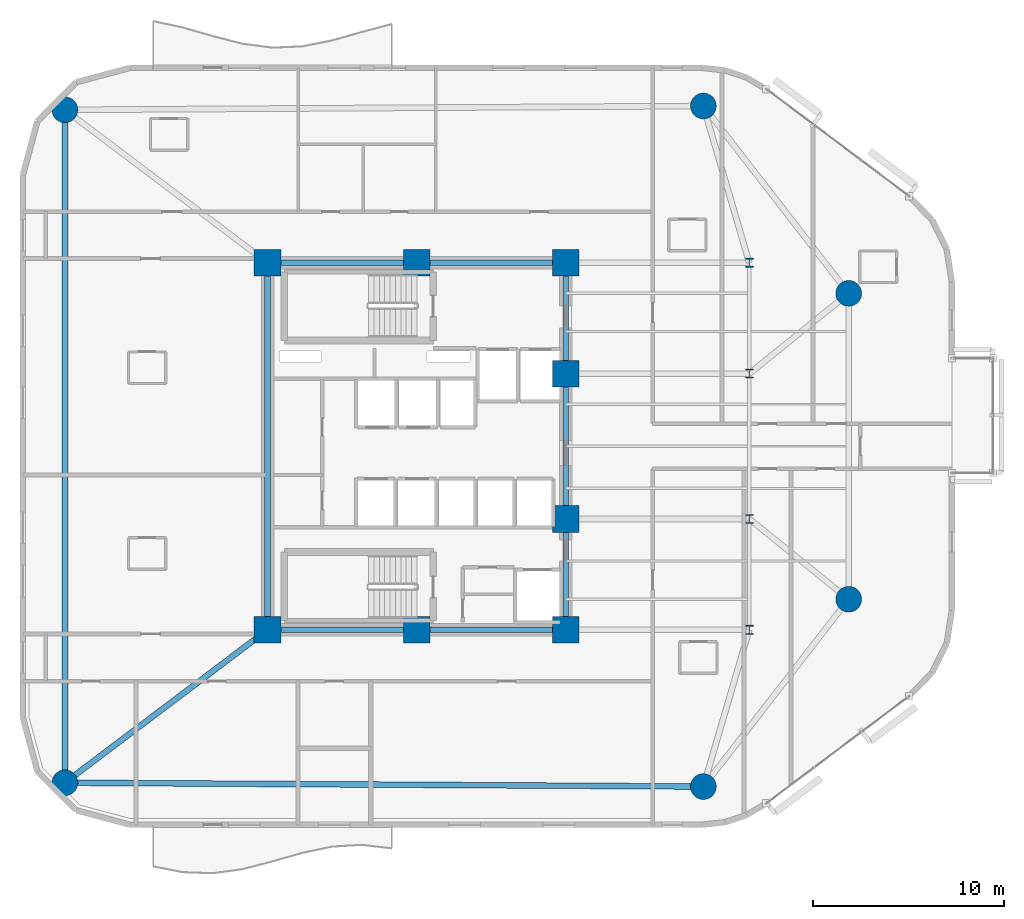
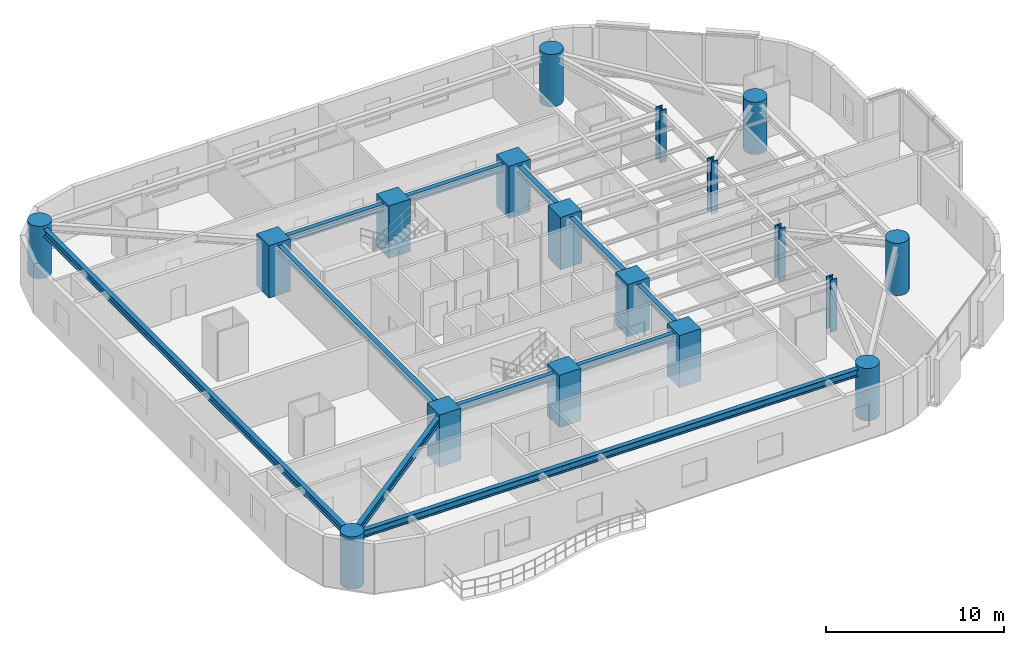
# One storey, part 1 of 14: 18 columns, 9 beams.
"""IFC4 building model written with IfcOpenShell, lengths in metres."""

import ifcopenshell
import ifcopenshell.guid

model = None  # the IFC model being written
_history = None  # IfcOwnerHistory: only IFC2X3 demands one
_inside = {}  # id of a spatial element -> (the spatial element, [elements in it])
_under = {}  # id of a project, library or spatial element -> (it, [spatial elements below it])
_declared = {}  # id of a project -> (the project, [libraries it declares])
_typed = {}  # id of a type object -> (the type object, [elements of that type])
_made_of = {}  # id of a material, layer set ... -> (it, [elements and type objects made of it])


def new_model(schema):
    """Start an empty IFC model of exactly this schema.

    Asked for "IFC4X3", IfcOpenShell would pick the latest addendum, in which some entities
    have other attributes; the version numbers below select the first issue.
    IFC2X3 requires an IfcOwnerHistory on every rooted entity: one is made here for all.
    """
    global model, _history
    if schema == "IFC4X3":
        model = ifcopenshell.file(schema_version=(4, 3, 0, 0))
    else:
        model = ifcopenshell.file(schema=schema)
    _inside.clear()
    _under.clear()
    _declared.clear()
    _typed.clear()
    _made_of.clear()
    _history = None
    if model.schema == "IFC2X3":
        org = make("IfcOrganization", Name="unknown")
        user = make(
            "IfcPersonAndOrganization",
            ThePerson=make("IfcPerson", FamilyName="unknown"),
            TheOrganization=org,
        )
        app = make(
            "IfcApplication",
            ApplicationDeveloper=org,
            Version="unknown",
            ApplicationFullName="unknown",
            ApplicationIdentifier="unknown",
        )
        _history = make(
            "IfcOwnerHistory",
            OwningUser=user,
            OwningApplication=app,
            ChangeAction="ADDED",
            CreationDate=0,
        )
    return model


def make(cls, **values):
    """One entity of the class cls with the attributes given. An attribute that is None is left unset."""
    return model.create_entity(
        cls, **{name: value for name, value in values.items() if value is not None}
    )


def rooted(cls, **values):
    """An entity with a GlobalId (a new one), such as an element, a storey or a relation."""
    return make(cls, GlobalId=ifcopenshell.guid.new(), OwnerHistory=_history, **values)


def si_unit(unit_type, name, prefix=None):
    """IfcSIUnit, for example si_unit("LENGTHUNIT", "METRE", prefix="MILLI")."""
    return make("IfcSIUnit", UnitType=unit_type, Prefix=prefix, Name=name)


def assignment(units):
    """IfcUnitAssignment: the units of a project."""
    return None if units is None else make("IfcUnitAssignment", Units=units)


def point(xyz):
    """IfcCartesianPoint."""
    return None if xyz is None else make("IfcCartesianPoint", Coordinates=xyz)


def direction(xyz):
    """IfcDirection."""
    return None if xyz is None else make("IfcDirection", DirectionRatios=xyz)


def frame(location, z_axis=None, x_axis=None):
    """IfcAxis2Placement3D, a coordinate frame: its origin and axes. An axis left out is left unset."""
    return make(
        "IfcAxis2Placement3D",
        Location=point(location),
        Axis=direction(z_axis),
        RefDirection=direction(x_axis),
    )


def frame_2d(location, x_axis=None):
    """IfcAxis2Placement2D, a coordinate frame in the plane: its origin and x axis."""
    return make(
        "IfcAxis2Placement2D", Location=point(location), RefDirection=direction(x_axis)
    )


def origin():
    """The frame at (0, 0, 0) with its axes left unset."""
    return frame((0.0, 0.0, 0.0))


def origin_2d():
    """The frame at (0, 0) in the plane with its x axis left unset."""
    return frame_2d((0.0, 0.0))


def place(relative_to, where):
    """IfcLocalPlacement: puts the frame where relative to a parent placement (None: the world)."""
    return make(
        "IfcLocalPlacement", PlacementRelTo=relative_to, RelativePlacement=where
    )


def context(
    kind, dimensions, precision=None, world=None, true_north=None, identifier=None
):
    """IfcGeometricRepresentationContext, for example the 3D "Model" context."""
    return make(
        "IfcGeometricRepresentationContext",
        ContextIdentifier=identifier,
        ContextType=kind,
        CoordinateSpaceDimension=dimensions,
        Precision=precision,
        WorldCoordinateSystem=world,
        TrueNorth=true_north,
    )


def subcontext(parent, identifier, kind, view, scale=None):
    """IfcGeometricRepresentationSubContext, for example "Body" below "Model"."""
    return make(
        "IfcGeometricRepresentationSubContext",
        ContextIdentifier=identifier,
        ContextType=kind,
        ParentContext=parent,
        TargetScale=scale,
        TargetView=view,
    )


def project(units=None, contexts=None):
    """IfcProject with its units and contexts."""
    return rooted(
        "IfcProject",
        Name="project",
        RepresentationContexts=contexts,
        UnitsInContext=assignment(units),
    )


def spatial(cls, under=None, at=None, **own):
    """A site, building, storey or space (cls), placed at a placement, below another one or the project."""
    s = rooted(cls, ObjectPlacement=at, **own)
    if under is not None:
        _under.setdefault(under.id(), (under, []))[1].append(s)
    return s


def profile(cls, at=None, kind="AREA", **sizes):
    """A parametric profile (cls). Its sizes go by their IFC names, for example OverallWidth=200.0."""
    return make(cls, ProfileType=kind, Position=at, **sizes)


def rectangle(**sizes):
    """IfcRectangleProfileDef."""
    return profile("IfcRectangleProfileDef", **sizes)


def circle(**sizes):
    """IfcCircleProfileDef."""
    return profile("IfcCircleProfileDef", **sizes)


def i_section(**sizes):
    """IfcIShapeProfileDef."""
    return profile("IfcIShapeProfileDef", **sizes)


def extrude(swept, where, along, depth):
    """IfcExtrudedAreaSolid: the profile swept, set in the frame where, extruded along a direction by depth."""
    return make(
        "IfcExtrudedAreaSolid",
        SweptArea=swept,
        Position=where,
        ExtrudedDirection=direction(along),
        Depth=depth,
    )


def shape(context_of_items, identifier, shape_type, items):
    """IfcShapeRepresentation: the items that make up one representation, for example the "Body"."""
    return make(
        "IfcShapeRepresentation",
        ContextOfItems=context_of_items,
        RepresentationIdentifier=identifier,
        RepresentationType=shape_type,
        Items=items,
    )


def material(Name=None, Category=None):
    """IfcMaterial."""
    return make("IfcMaterial", Name=Name, Category=Category)


def material_profile(
    of_material, cross_section, Name=None, Category=None, Priority=None
):
    """IfcMaterialProfile: a cross section and its material."""
    return make(
        "IfcMaterialProfile",
        Name=Name,
        Material=of_material,
        Profile=cross_section,
        Priority=Priority,
        Category=Category,
    )


def profile_set(profiles, Name=None, composite=None):
    """IfcMaterialProfileSet."""
    return make(
        "IfcMaterialProfileSet",
        Name=Name,
        MaterialProfiles=profiles,
        CompositeProfile=composite,
    )


def made_of(thing, what):
    """Note that an element or type object is made of a material, layer set ...; save() writes the relation."""
    if what is not None:
        _made_of.setdefault(what.id(), (what, []))[1].append(thing)
    return thing


def type_object(cls, material=None, **own):
    """A type object (cls), such as IfcWallType, which elements share."""
    return made_of(rooted(cls, **own), material)


def element(
    cls,
    number,
    at=None,
    inside=None,
    cuts=None,
    type_object=None,
    material=None,
    context=None,
    identifier="Body",
    shape_type=None,
    held_by="IfcProductDefinitionShape",
    body=None,
    shapes=None,
    **own,
):
    """One element of the class cls, such as IfcWall. Its Tag is "e" and its number.

    at: its placement. inside: the storey or other place that contains it. cuts: it is an
    opening in that element (IfcRelVoidsElement). A single representation is given by context,
    identifier, shape_type and body (its items); several are given by shapes. held_by: the class
    of the entity that holds the representations. save() writes the other relations.
    """
    e = rooted(cls, Tag="e%d" % number, ObjectPlacement=at, **own)
    if body is not None:
        shapes = [shape(context, identifier, shape_type, body)]
    if shapes is not None:
        e.Representation = make(held_by, Representations=shapes)
    if inside is not None:
        _inside.setdefault(inside.id(), (inside, []))[1].append(e)
    if cuts is not None:
        rooted(
            "IfcRelVoidsElement", RelatingBuildingElement=cuts, RelatedOpeningElement=e
        )
    if type_object is not None:
        _typed.setdefault(type_object.id(), (type_object, []))[1].append(e)
    return made_of(e, material)


def aggregate(whole, parts):
    """IfcRelAggregates: a whole, such as a stair, and the parts it consists of."""
    return rooted("IfcRelAggregates", RelatingObject=whole, RelatedObjects=parts)


def save(model, path):
    """Write the relations noted so far, then the file.

    IfcRelAggregates (storeys below a building ...), IfcRelContainedInSpatialStructure (elements
    in a storey), IfcRelDefinesByType, IfcRelAssociatesMaterial and IfcRelDeclares: one each for
    every whole, place, type object, material and project.
    """
    for whole, parts in _under.values():
        aggregate(whole, parts)
    for where, things in _inside.values():
        rooted(
            "IfcRelContainedInSpatialStructure",
            RelatedElements=things,
            RelatingStructure=where,
        )
    for kind, things in _typed.values():
        rooted("IfcRelDefinesByType", RelatedObjects=things, RelatingType=kind)
    for what, things in _made_of.values():
        rooted("IfcRelAssociatesMaterial", RelatedObjects=things, RelatingMaterial=what)
    for by, libraries in _declared.values():
        rooted("IfcRelDeclares", RelatingContext=by, RelatedDefinitions=libraries)
    model.write(path)


model = new_model("IFC4")

# Units and contexts
model_context = context("Model", 3, precision=1e-05, world=origin(), true_north=direction((0.0, 1.0)))
body_context = subcontext(model_context, "Body", "Model", "MODEL_VIEW")
ifc_project = project(units=[si_unit("LENGTHUNIT", "METRE"), si_unit("AREAUNIT", "SQUARE_METRE"), si_unit("VOLUMEUNIT", "CUBIC_METRE"), si_unit("PLANEANGLEUNIT", "RADIAN"), si_unit("MASSUNIT", "GRAM", prefix="KILO")], contexts=[model_context])

# Site, building, storey
site_placement = place(None, origin())
site = spatial("IfcSite", under=ifc_project, at=site_placement, CompositionType="ELEMENT")
building_placement = place(site_placement, origin())
building = spatial("IfcBuilding", under=site, at=building_placement, Name="An Khanh Terracotta Commons", CompositionType="ELEMENT")
storey_placement = place(building_placement, frame((0.0, 0.0, 93.5)))
storey = spatial("IfcBuildingStorey", under=building, at=storey_placement, Name="L24", CompositionType="ELEMENT", Elevation=93.5)

# Columns
ifc_material_1 = material(Name="Concrete C70/85", Category="concrete")
ifc_material_profile_1 = material_profile(ifc_material_1, circle(Radius=0.675048828125, at=origin_2d()), Name="CFST1350")
ifc_profile_set_1 = profile_set([ifc_material_profile_1], Name="Concrete C70/85")
column_type_1 = type_object("IfcColumnType", Name="COL-CFST1350", PredefinedType="COLUMN", material=ifc_profile_set_1)
for number, where, z_axis, x_axis, name in (
    (1, (11.0, 6.39990234375, 0.0), (0.0, 0.0, 1.0), (1.0, 0.0, 0.0), "L24 Perimeter CFST Mega-Column MC-01"),
    (2, (44.39990234375, 6.199951171875, 0.0), (0.0, 0.0, 1.0), (1.0, 0.0, 0.0), "L24 Perimeter CFST Mega-Column MC-02"),
    (3, (52.0, 16.0, 0.0), (0.0, 0.0, 1.0), (1.0, 0.0, 0.0), "L24 Perimeter CFST Mega-Column MC-03"),
    (4, (52.0, 32.0, 0.0), (0.0, 0.0, 1.0), (1.0, 0.0, 0.0), "L24 Perimeter CFST Mega-Column MC-04"),
    (5, (44.39990234375, 41.800048828125, 0.0), (0.0, 0.0, 1.0), (1.0, 0.0, 0.0), "L24 Perimeter CFST Mega-Column MC-05"),
    (6, (11.0, 41.60009765625, 0.0), (0.0, 0.0, 1.0), (1.0, 0.0, 0.0), "L24 Perimeter CFST Mega-Column MC-06"),
):
    element("IfcColumn", number, at=place(storey_placement, frame(where, z_axis=z_axis, x_axis=x_axis)), inside=storey, type_object=column_type_1, Name=name, PredefinedType="COLUMN", context=body_context, shape_type="SweptSolid", body=[
        extrude(circle(Radius=0.675048828125, at=origin_2d()), origin(), (0.0, 0.0, 1.0), 3.60009765625),
    ])
ifc_material_2 = material(Name="Steel S460ML", Category="steel")
ifc_material_profile_2 = material_profile(ifc_material_2, i_section(OverallWidth=0.4169921875, OverallDepth=0.47705078125, WebThickness=0.035888671875, FlangeThickness=0.057373046875, FilletRadius=0.014892578125, at=origin_2d()), Name="HD400x463")
ifc_profile_set_2 = profile_set([ifc_material_profile_2], Name="Steel S460ML")
column_type_2 = type_object("IfcColumnType", Name="COL-HD400x463", PredefinedType="COLUMN", material=ifc_profile_set_2)
for number, where, z_axis, x_axis, name in (
    (7, (46.800048828125, 14.39990234375, 0.0), (0.0, 0.0, 1.0), (1.0, 0.0, 0.0), "L24 Interior Frame Column TC-01"),
    (8, (46.800048828125, 20.199951171875, 0.0), (0.0, 0.0, 1.0), (1.0, 0.0, 0.0), "L24 Interior Frame Column TC-02"),
    (9, (46.800048828125, 27.800048828125, 0.0), (0.0, 0.0, 1.0), (1.0, 0.0, 0.0), "L24 Interior Frame Column TC-03"),
    (10, (46.800048828125, 33.60009765625, 0.0), (0.0, 0.0, 1.0), (1.0, 0.0, 0.0), "L24 Interior Frame Column TC-04"),
):
    element("IfcColumn", number, at=place(storey_placement, frame(where, z_axis=z_axis, x_axis=x_axis)), inside=storey, type_object=column_type_2, Name=name, PredefinedType="COLUMN", context=body_context, shape_type="SweptSolid", body=[
        extrude(i_section(OverallWidth=0.4169921875, OverallDepth=0.47705078125, WebThickness=0.035888671875, FlangeThickness=0.057373046875, FilletRadius=0.014892578125, at=origin_2d()), origin(), (0.0, 0.0, 1.0), 3.60009765625),
    ])
ifc_material_profile_3 = material_profile(ifc_material_1, rectangle(XDim=1.39990234375, YDim=1.39990234375, at=origin_2d()), Name="RC1400x1400")
ifc_profile_set_3 = profile_set([ifc_material_profile_3], Name="Concrete C70/85")
column_type_3 = type_object("IfcColumnType", Name="COL-RC1400x1400", PredefinedType="COLUMN", material=ifc_profile_set_3)
for number, where, z_axis, x_axis, name in (
    (11, (21.60009765625, 14.39990234375, 0.0), (0.0, 0.0, 1.0), (1.0, 0.0, 0.0), "L24 Core Boundary Column CC-01"),
    (12, (29.39990234375, 14.39990234375, 0.0), (0.0, 0.0, 1.0), (1.0, 0.0, 0.0), "L24 Core Boundary Column CC-02"),
    (13, (37.199951171875, 14.39990234375, 0.0), (0.0, 0.0, 1.0), (1.0, 0.0, 0.0), "L24 Core Boundary Column CC-03"),
    (14, (37.199951171875, 20.199951171875, 0.0), (0.0, 0.0, 1.0), (1.0, 0.0, 0.0), "L24 Core Boundary Column CC-04"),
    (15, (37.199951171875, 27.800048828125, 0.0), (0.0, 0.0, 1.0), (1.0, 0.0, 0.0), "L24 Core Boundary Column CC-05"),
    (16, (37.199951171875, 33.60009765625, 0.0), (0.0, 0.0, 1.0), (1.0, 0.0, 0.0), "L24 Core Boundary Column CC-06"),
    (17, (29.39990234375, 33.60009765625, 0.0), (0.0, 0.0, 1.0), (1.0, 0.0, 0.0), "L24 Core Boundary Column CC-07"),
    (18, (21.60009765625, 33.60009765625, 0.0), (0.0, 0.0, 1.0), (1.0, 0.0, 0.0), "L24 Core Boundary Column CC-08"),
):
    element("IfcColumn", number, at=place(storey_placement, frame(where, z_axis=z_axis, x_axis=x_axis)), inside=storey, type_object=column_type_3, Name=name, PredefinedType="COLUMN", context=body_context, shape_type="SweptSolid", body=[
        extrude(rectangle(XDim=1.39990234375, YDim=1.39990234375, at=origin_2d()), origin(), (0.0, 0.0, 1.0), 3.60009765625),
    ])

# Beams
ifc_material_3 = material(Name="Steel S355J2", Category="steel")
ifc_material_profile_4 = material_profile(ifc_material_3, i_section(OverallWidth=0.300048828125, OverallDepth=0.449951171875, WebThickness=0.013916015625, FlangeThickness=0.02587890625, FilletRadius=0.027099609375, at=origin_2d()), Name="HEB450")
ifc_profile_set_4 = profile_set([ifc_material_profile_4], Name="Steel S355J2")
beam_type_1 = type_object("IfcBeamType", Name="BM-HEB450", PredefinedType="BEAM", material=ifc_profile_set_4)
beam_1_placement = place(storey_placement, frame((37.199951171875, 14.39990234375, 3.175048828125), z_axis=(0.0, 1.0, 0.0), x_axis=(-1.0, 0.0, 0.0)))
element("IfcBeam", 19, at=beam_1_placement, inside=storey, type_object=beam_type_1, Name="L24 Core East Coupling Girder 1", PredefinedType="BEAM", context=body_context, shape_type="SweptSolid", body=[
    extrude(i_section(OverallWidth=0.300048828125, OverallDepth=0.449951171875, WebThickness=0.013916015625, FlangeThickness=0.02587890625, FilletRadius=0.027099609375, at=origin_2d()), origin(), (0.0, 0.0, 1.0), 5.800048828125),
])
beam_2_placement = place(storey_placement, frame((37.199951171875, 20.199951171875, 3.175048828125), z_axis=(0.0, 1.0, 0.0), x_axis=(-1.0, 0.0, 0.0)))
element("IfcBeam", 20, at=beam_2_placement, inside=storey, type_object=beam_type_1, Name="L24 Core East Coupling Girder 2", PredefinedType="BEAM", context=body_context, shape_type="SweptSolid", body=[
    extrude(i_section(OverallWidth=0.300048828125, OverallDepth=0.449951171875, WebThickness=0.013916015625, FlangeThickness=0.02587890625, FilletRadius=0.027099609375, at=origin_2d()), origin(), (0.0, 0.0, 1.0), 7.60009765625),
])
beam_3_placement = place(storey_placement, frame((37.199951171875, 27.800048828125, 3.175048828125), z_axis=(0.0, 1.0, 0.0), x_axis=(-1.0, 0.0, 0.0)))
element("IfcBeam", 21, at=beam_3_placement, inside=storey, type_object=beam_type_1, Name="L24 Core East Coupling Girder 3", PredefinedType="BEAM", context=body_context, shape_type="SweptSolid", body=[
    extrude(i_section(OverallWidth=0.300048828125, OverallDepth=0.449951171875, WebThickness=0.013916015625, FlangeThickness=0.02587890625, FilletRadius=0.027099609375, at=origin_2d()), origin(), (0.0, 0.0, 1.0), 5.800048828125),
])
beam_4_placement = place(storey_placement, frame((21.60009765625, 14.39990234375, 3.175048828125), z_axis=(0.0, 1.0, 0.0), x_axis=(-1.0, 0.0, 0.0)))
element("IfcBeam", 22, at=beam_4_placement, inside=storey, type_object=beam_type_1, Name="L24 Core West Coupling Girder", PredefinedType="BEAM", context=body_context, shape_type="SweptSolid", body=[
    extrude(i_section(OverallWidth=0.300048828125, OverallDepth=0.449951171875, WebThickness=0.013916015625, FlangeThickness=0.02587890625, FilletRadius=0.027099609375, at=origin_2d()), origin(), (0.0, 0.0, 1.0), 19.2001953125),
])
ifc_material_profile_5 = material_profile(ifc_material_3, i_section(OverallWidth=0.300048828125, OverallDepth=0.5, WebThickness=0.014404296875, FlangeThickness=0.028076171875, FilletRadius=0.027099609375, at=origin_2d()), Name="HEB500")
ifc_profile_set_5 = profile_set([ifc_material_profile_5], Name="Steel S355J2")
beam_type_2 = type_object("IfcBeamType", Name="BM-HEB500", PredefinedType="BEAM", material=ifc_profile_set_5)
for number, where, z_axis, x_axis, name in (
    (23, (21.60009765625, 14.39990234375, 3.14990234375), (1.0, 0.0, 0.0), (0.0, 1.0, 0.0), "L24 Core South Coupling Girder"),
    (24, (21.60009765625, 33.60009765625, 3.14990234375), (1.0, 0.0, 0.0), (0.0, 1.0, 0.0), "L24 Core North Coupling Girder"),
):
    element("IfcBeam", number, at=place(storey_placement, frame(where, z_axis=z_axis, x_axis=x_axis)), inside=storey, type_object=beam_type_2, Name=name, PredefinedType="BEAM", context=body_context, shape_type="SweptSolid", body=[
        extrude(i_section(OverallWidth=0.300048828125, OverallDepth=0.5, WebThickness=0.014404296875, FlangeThickness=0.028076171875, FilletRadius=0.027099609375, at=origin_2d()), origin(), (0.0, 0.0, 1.0), 15.599853515625),
    ])
beam_5_placement = place(storey_placement, frame((11.0, 6.39990234375, 3.14990234375), z_axis=(0.999982080914, -0.005986472262, 0.0), x_axis=(0.005986472262, 0.999982080914, 0.0)))
element("IfcBeam", 25, at=beam_5_placement, inside=storey, type_object=beam_type_2, Name="L24 Perimeter Ring Spandrel 1", PredefinedType="BEAM", context=body_context, shape_type="SweptSolid", body=[
    extrude(i_section(OverallWidth=0.300048828125, OverallDepth=0.5, WebThickness=0.014404296875, FlangeThickness=0.028076171875, FilletRadius=0.027099609375, at=origin_2d()), origin(), (0.0, 0.0, 1.0), 33.400390625),
])
beam_6_placement = place(storey_placement, frame((11.0, 41.60009765625, 3.14990234375), z_axis=(0.0, -1.0, 0.0), x_axis=(1.0, 0.0, 0.0)))
element("IfcBeam", 26, at=beam_6_placement, inside=storey, type_object=beam_type_2, Name="L24 Perimeter Ring Spandrel 6", PredefinedType="BEAM", context=body_context, shape_type="SweptSolid", body=[
    extrude(i_section(OverallWidth=0.300048828125, OverallDepth=0.5, WebThickness=0.014404296875, FlangeThickness=0.028076171875, FilletRadius=0.027099609375, at=origin_2d()), origin(), (0.0, 0.0, 1.0), 35.2001953125),
])
beam_7_placement = place(storey_placement, frame((11.0, 6.39990234375, 3.14990234375), z_axis=(0.798191818888, 0.602403370061, 0.0), x_axis=(-0.602403370061, 0.798191818888, 0.0)))
element("IfcBeam", 27, at=beam_7_placement, inside=storey, type_object=beam_type_2, Name="L24 Mega-Column Tie Girder 1", PredefinedType="BEAM", context=body_context, shape_type="SweptSolid", body=[
    extrude(i_section(OverallWidth=0.300048828125, OverallDepth=0.5, WebThickness=0.014404296875, FlangeThickness=0.028076171875, FilletRadius=0.027099609375, at=origin_2d()), origin(), (0.0, 0.0, 1.0), 13.280029296875),
])

save(model, "model.ifc")
